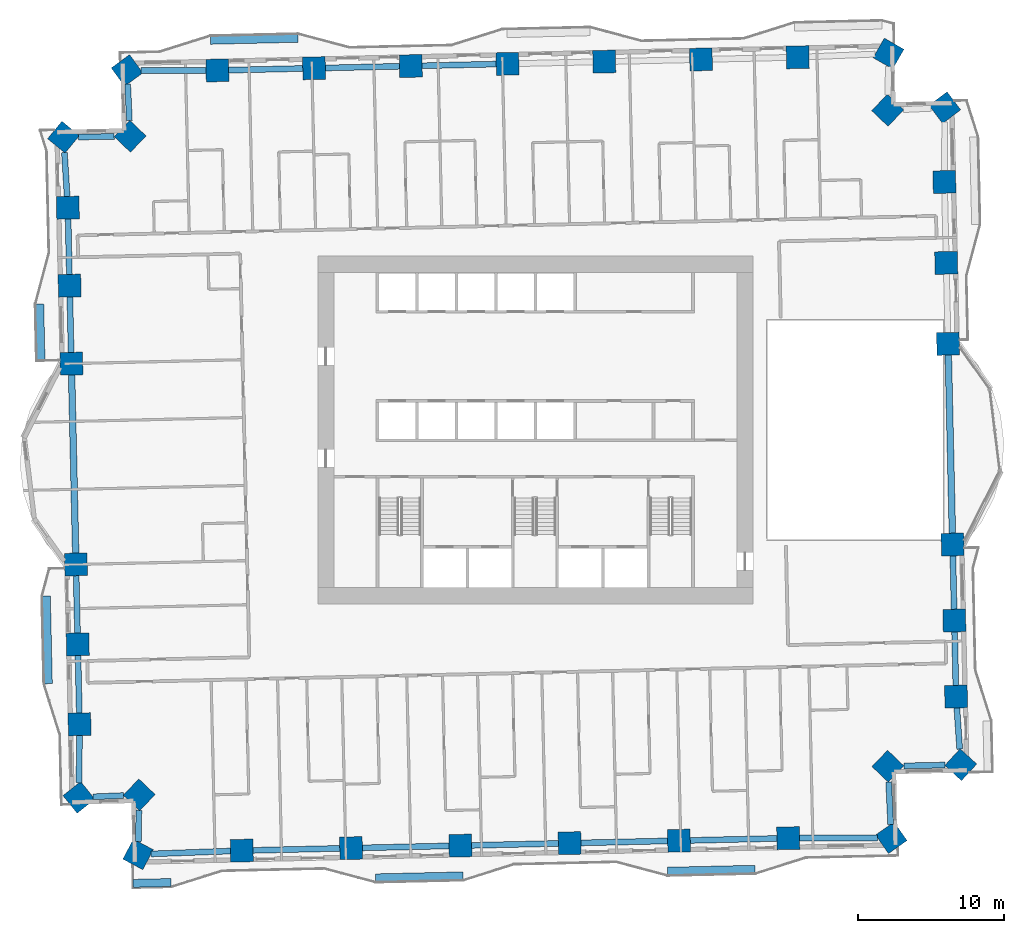
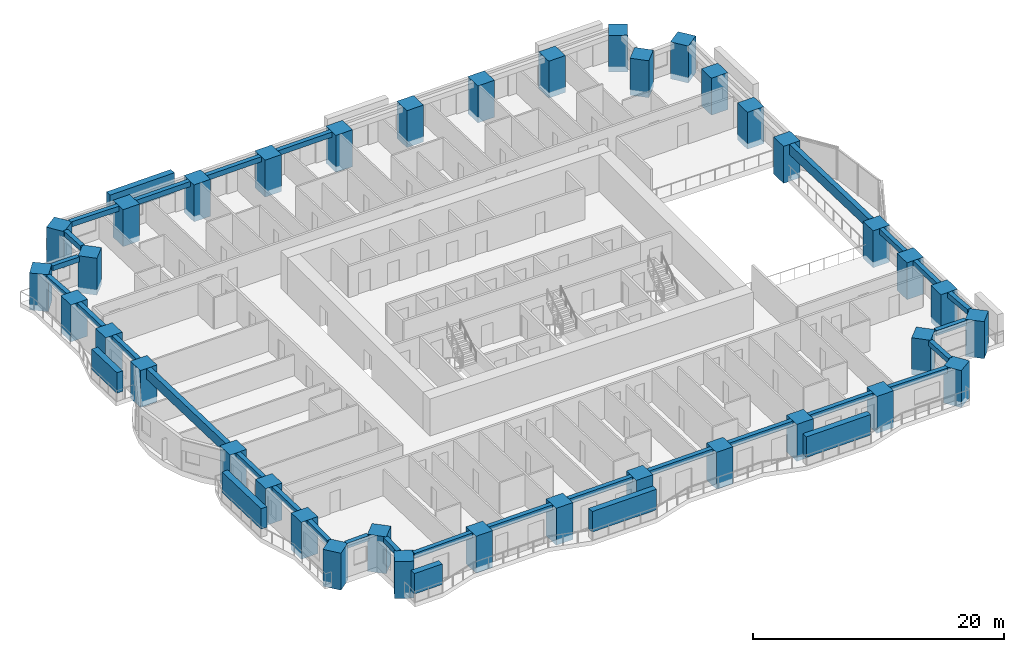
# One storey, part 1 of 16: 37 columns, 28 beams, 6 members.
"""IFC4 building model written with IfcOpenShell, lengths in metres."""

from ifc_helpers import new_model, si_unit, direction, frame, origin, origin_2d, place, context, subcontext, project, spatial, rectangle, extrude, material, material_profile, profile_set, type_object, element, save


model = new_model("IFC4")

# Units and contexts
model_context = context("Model", 3, precision=1e-05, world=origin(), true_north=direction((0.0, 1.0)))
body_context = subcontext(model_context, "Body", "Model", "MODEL_VIEW")
ifc_project = project(units=[si_unit("LENGTHUNIT", "METRE"), si_unit("AREAUNIT", "SQUARE_METRE"), si_unit("VOLUMEUNIT", "CUBIC_METRE"), si_unit("PLANEANGLEUNIT", "RADIAN"), si_unit("MASSUNIT", "GRAM", prefix="KILO")], contexts=[model_context])

# Site, building, storey
site_placement = place(None, origin())
site = spatial("IfcSite", under=ifc_project, at=site_placement, CompositionType="ELEMENT")
building_placement = place(site_placement, origin())
building = spatial("IfcBuilding", under=site, at=building_placement, Name="Mangrove Gate Tower", CompositionType="ELEMENT")
storey_placement = place(building_placement, frame((0.0, 0.0, 41.300048828125)))
storey = spatial("IfcBuildingStorey", under=building, at=storey_placement, Name="L09", CompositionType="ELEMENT", Elevation=41.300048828125)

# Columns
ifc_material_1 = material(Name="Concrete C70/85", Category="concrete")
ifc_material_profile_1 = material_profile(ifc_material_1, rectangle(XDim=1.550048828125, YDim=1.550048828125, at=origin_2d()))
ifc_profile_set_1 = profile_set([ifc_material_profile_1], Name="Concrete C70/85")
column_type = type_object("IfcColumnType", Name="Column RC 1550x1550 C70/85", PredefinedType="COLUMN", material=ifc_profile_set_1)
for number, where, z_axis, x_axis, name in (
    (1, (-31.461181640625, -9.204345703125, -0.550048828125), (0.0, 0.0, 1.0), (0.022677684385, -0.999742828247, 0.0), "Column L09 W06"),
    (2, (-31.337158203125, -14.678466796875, -0.550048828125), (0.0, 0.0, 1.0), (0.022648789156, -0.999743483274, 0.0), "Column L09 W07"),
    (3, (-31.213134765625, -20.1513671875, -0.550048828125), (0.0, 0.0, 1.0), (0.022740081264, -0.999741410918, 0.0), "Column L09 W08"),
    (4, (-31.259033203125, -25.157470703125, -0.550048828125), (0.0, 0.0, 1.0), (0.626513761853, -0.779410358033, 0.0), "Column L09 W09"),
    (5, (-27.129638671875, -24.986572265625, -0.550048828125), (0.0, 0.0, 1.0), (0.723003777622, -0.690844076144, 0.0), "Column L09 W10"),
    (6, (-27.205078125, -29.061767578125, -0.550048828125), (0.0, 0.0, 1.0), (0.88296485665, -0.469439092877, 0.0), "Column L09 S01"),
    (7, (-20.1025390625, -28.80224609375, -0.550048828125), (0.0, 0.0, 1.0), (0.999743591179, 0.022644025629, 0.0), "Column L09 S02"),
    (8, (-12.61962890625, -28.632080078125, -0.550048828125), (0.0, 0.0, 1.0), (0.999742076866, 0.022710784754, 0.0), "Column L09 S03"),
    (9, (-5.135498046875, -28.462158203125, -0.550048828125), (0.0, 0.0, 1.0), (0.999742111349, 0.022709266709, 0.0), "Column L09 S04"),
    (10, (2.348388671875, -28.292236328125, -0.550048828125), (0.0, 0.0, 1.0), (0.999742111349, 0.022709266709, 0.0), "Column L09 S05"),
    (11, (9.83251953125, -28.122314453125, -0.550048828125), (0.0, 0.0, 1.0), (0.999742076866, 0.022710784754, 0.0), "Column L09 S06"),
    (12, (17.3154296875, -27.9521484375, -0.550048828125), (0.0, 0.0, 1.0), (0.999743591179, 0.022644025629, 0.0), "Column L09 S07"),
    (13, (24.3720703125, -27.92333984375, -0.550048828125), (0.0, 0.0, 1.0), (0.818798537757, 0.574080965166, 0.0), "Column L09 S08"),
    (14, (24.143798828125, -23.023681640625, -0.550048828125), (0.0, 0.0, 1.0), (0.690875836988, 0.722973428188, 0.0), "Column L09 E01"),
    (15, (29.1318359375, -22.921142578125, -0.550048828125), (0.0, 0.0, 1.0), (0.675975496551, 0.736924099255, 0.0), "Column L09 E02"),
    (16, (28.80908203125, -18.256591796875, -0.550048828125), (0.0, 0.0, 1.0), (-0.022754110081, 0.99974109172, 0.0), "Column L09 E03"),
    (17, (28.691162109375, -13.049560546875, -0.550048828125), (0.0, 0.0, 1.0), (-0.022655978068, 0.999743320387, 0.0), "Column L09 E04"),
    (18, (28.5732421875, -7.842529296875, -0.550048828125), (0.0, 0.0, 1.0), (-0.022680668131, 0.999742760561, 0.0), "Column L09 E05"),
    (19, (28.26123046875, 5.904296875, -0.550048828125), (0.0, 0.0, 1.0), (-0.022703735442, 0.999742236978, 0.0), "Column L09 E06"),
    (20, (28.13525390625, 11.4443359375, -0.550048828125), (0.0, 0.0, 1.0), (-0.022645578574, 0.999743556004, 0.0), "Column L09 E07"),
    (21, (28.01025390625, 16.9853515625, -0.550048828125), (0.0, 0.0, 1.0), (-0.022645578574, 0.999743556004, 0.0), "Column L09 E08"),
    (22, (28.041015625, 22.0751953125, -0.550048828125), (0.0, 0.0, 1.0), (-0.60357593887, 0.797305516109, 0.0), "Column L09 E09"),
    (23, (24.12451171875, 21.8916015625, -0.550048828125), (0.0, 0.0, 1.0), (-0.723010312757, 0.690837236726, 0.0), "Column L09 E10"),
    (24, (24.18359375, 25.778564453125, -0.550048828125), (0.0, 0.0, 1.0), (-0.867550504106, 0.497349095531, 0.0), "Column L09 N01"),
    (25, (17.963623046875, 25.526123046875, -0.550048828125), (0.0, 0.0, 1.0), (-0.999741913532, -0.022717973655, 0.0), "Column L09 N02"),
    (26, (11.340576171875, 25.375244140625, -0.550048828125), (0.0, 0.0, 1.0), (-0.999741952388, -0.022716263674, 0.0), "Column L09 N03"),
    (27, (4.716552734375, 25.22509765625, -0.550048828125), (0.0, 0.0, 1.0), (-0.999743663498, -0.022640832496, 0.0), "Column L09 N04"),
    (28, (-1.906494140625, 25.0751953125, -0.550048828125), (0.0, 0.0, 1.0), (-0.999741913532, -0.022717973655, 0.0), "Column L09 N05"),
    (29, (-8.529296875, 24.92431640625, -0.550048828125), (0.0, 0.0, 1.0), (-0.999741952388, -0.022716263674, 0.0), "Column L09 N06"),
    (30, (-15.153564453125, 24.774169921875, -0.550048828125), (0.0, 0.0, 1.0), (-0.999743663498, -0.022640832496, 0.0), "Column L09 N07"),
    (31, (-21.7763671875, 24.624267578125, -0.550048828125), (0.0, 0.0, 1.0), (-0.999743624771, -0.02264254248, 0.0), "Column L09 N08"),
    (32, (-27.960693359375, 24.62255859375, -0.550048828125), (0.0, 0.0, 1.0), (-0.808269368168, -0.588812897686, 0.0), "Column L09 N09"),
    (33, (-27.752685546875, 20.114501953125, -0.550048828125), (0.0, 0.0, 1.0), (-0.690863130287, -0.722985570541, 0.0), "Column L09 W01"),
    (34, (-32.3134765625, 20.052734375, -0.550048828125), (0.0, 0.0, 1.0), (-0.63510539695, -0.772425488164, 0.0), "Column L09 W02"),
    (35, (-32.01513671875, 15.22265625, -0.550048828125), (0.0, 0.0, 1.0), (0.022746921185, -0.999741255314, 0.0), "Column L09 W03"),
    (36, (-31.894287109375, 9.882568359375, -0.550048828125), (0.0, 0.0, 1.0), (0.022653360746, -0.999743379696, 0.0), "Column L09 W04"),
    (37, (-31.773193359375, 4.54248046875, -0.550048828125), (0.0, 0.0, 1.0), (0.022679760793, -0.999742781144, 0.0), "Column L09 W05"),
):
    element("IfcColumn", number, at=place(storey_placement, frame(where, z_axis=z_axis, x_axis=x_axis)), inside=storey, type_object=column_type, Name=name, PredefinedType="COLUMN", context=body_context, shape_type="SweptSolid", body=[
        extrude(rectangle(XDim=1.550048828125, YDim=1.550048828125, at=origin_2d()), origin(), (0.0, 0.0, 1.0), 3.60009765625),
    ])

# Members
ifc_material_2 = material(Name="Planting on aluminium trellis", Category="aluminium")
ifc_material_profile_2 = material_profile(ifc_material_2, rectangle(XDim=0.550048828125, YDim=2.0, at=origin_2d()))
ifc_profile_set_2 = profile_set([ifc_material_profile_2], Name="Planting on aluminium trellis")
member_type = type_object("IfcMemberType", Name="Balcony greenery screen 550x2000", PredefinedType="USERDEFINED", material=ifc_profile_set_2)
member_1_placement = place(storey_placement, frame((-22.248046875, 26.68798828125, 1.800048828125), z_axis=(0.999743178102, 0.022662255828, 0.0), x_axis=(-0.022662255828, 0.999743178102, 0.0)))
element("IfcMember", 38, at=member_1_placement, inside=storey, type_object=member_type, Name="GREEN SCREEN L09 N1.1", ObjectType="PLANTING", PredefinedType="USERDEFINED", context=body_context, shape_type="SweptSolid", body=[
    extrude(rectangle(XDim=0.550048828125, YDim=2.0, at=origin_2d()), origin(), (0.0, 0.0, 1.0), 6.00048828125),
])
member_2_placement = place(storey_placement, frame((-33.85302734375, 4.74609375, 1.800048828125), z_axis=(-0.02268847822, 0.999742583346, 0.0), x_axis=(-0.999742583346, -0.02268847822, 0.0)))
element("IfcMember", 39, at=member_2_placement, inside=storey, type_object=member_type, Name="GREEN SCREEN L09 W0.1", ObjectType="PLANTING", PredefinedType="USERDEFINED", context=body_context, shape_type="SweptSolid", body=[
    extrude(rectangle(XDim=0.550048828125, YDim=2.0, at=origin_2d()), origin(), (0.0, 0.0, 1.0), 3.873779296875),
])
member_3_placement = place(storey_placement, frame((-33.35107421875, -17.3740234375, 1.800048828125), z_axis=(-0.022665943652, 0.999743094499, 0.0), x_axis=(-0.999743094499, -0.022665943652, 0.0)))
element("IfcMember", 40, at=member_3_placement, inside=storey, type_object=member_type, Name="GREEN SCREEN L09 W1.1", ObjectType="PLANTING", PredefinedType="USERDEFINED", context=body_context, shape_type="SweptSolid", body=[
    extrude(rectangle(XDim=0.550048828125, YDim=2.0, at=origin_2d()), origin(), (0.0, 0.0, 1.0), 5.99951171875),
])
member_4_placement = place(storey_placement, frame((-27.5400390625, -31.0458984375, 1.800048828125), z_axis=(0.999743867738, 0.022631812148, 0.0), x_axis=(-0.022631812148, 0.999743867738, 0.0)))
element("IfcMember", 41, at=member_4_placement, inside=storey, type_object=member_type, Name="GREEN SCREEN L09 S0.1", ObjectType="PLANTING", PredefinedType="USERDEFINED", context=body_context, shape_type="SweptSolid", body=[
    extrude(rectangle(XDim=0.550048828125, YDim=2.0, at=origin_2d()), origin(), (0.0, 0.0, 1.0), 2.599853515625),
])
member_5_placement = place(storey_placement, frame((-10.944091796875, -30.6689453125, 1.800048828125), z_axis=(0.999743094499, 0.022665943652, 0.0), x_axis=(-0.022665943652, 0.999743094499, 0.0)))
element("IfcMember", 42, at=member_5_placement, inside=storey, type_object=member_type, Name="GREEN SCREEN L09 S0.2", ObjectType="PLANTING", PredefinedType="USERDEFINED", context=body_context, shape_type="SweptSolid", body=[
    extrude(rectangle(XDim=0.550048828125, YDim=2.0, at=origin_2d()), origin(), (0.0, 0.0, 1.0), 5.99951171875),
])
member_6_placement = place(storey_placement, frame((9.050048828125, -30.215087890625, 1.800048828125), z_axis=(0.999743178102, 0.022662255828, 0.0), x_axis=(-0.022662255828, 0.999743178102, 0.0)))
element("IfcMember", 43, at=member_6_placement, inside=storey, type_object=member_type, Name="GREEN SCREEN L09 S1.1", ObjectType="PLANTING", PredefinedType="USERDEFINED", context=body_context, shape_type="SweptSolid", body=[
    extrude(rectangle(XDim=0.550048828125, YDim=2.0, at=origin_2d()), origin(), (0.0, 0.0, 1.0), 6.00048828125),
])

# Beams
ifc_material_3 = material(Name="Concrete C50/60", Category="concrete")
ifc_material_profile_3 = material_profile(ifc_material_3, rectangle(XDim=0.39990234375, YDim=0.5, at=origin_2d()))
ifc_profile_set_3 = profile_set([ifc_material_profile_3], Name="Concrete C50/60")
beam_type_1 = type_object("IfcBeamType", Name="Edge beam RC 400x500 C50/60", PredefinedType="BEAM", material=ifc_profile_set_3)
beam_1_placement = place(storey_placement, frame((-31.443603515625, -9.979248046875, 2.800048828125), z_axis=(0.022639461541, -0.999743694544, 0.0), x_axis=(0.999743694544, 0.022639461541, 0.0)))
element("IfcBeam", 44, at=beam_1_placement, inside=storey, type_object=beam_type_1, Name="Edge beam L09 00", PredefinedType="BEAM", context=body_context, shape_type="SweptSolid", body=[
    extrude(rectangle(XDim=0.39990234375, YDim=0.5, at=origin_2d()), origin(), (0.0, 0.0, 1.0), 3.92529296875),
])
beam_2_placement = place(storey_placement, frame((-31.319580078125, -15.453369140625, 2.800048828125), z_axis=(0.022646502382, -0.999743535078, 0.0), x_axis=(0.999743535078, 0.022646502382, 0.0)))
element("IfcBeam", 45, at=beam_2_placement, inside=storey, type_object=beam_type_1, Name="Edge beam L09 01", PredefinedType="BEAM", context=body_context, shape_type="SweptSolid", body=[
    extrude(rectangle(XDim=0.39990234375, YDim=0.5, at=origin_2d()), origin(), (0.0, 0.0, 1.0), 3.924072265625),
])
beam_3_placement = place(storey_placement, frame((-31.22021484375, -20.9267578125, 2.800048828125), z_axis=(-0.009148263769, -0.999958153759, 0.0), x_axis=(0.999958153759, -0.009148263769, 0.0)))
element("IfcBeam", 46, at=beam_3_placement, inside=storey, type_object=beam_type_1, Name="Edge beam L09 02", PredefinedType="BEAM", context=body_context, shape_type="SweptSolid", body=[
    extrude(rectangle(XDim=0.39990234375, YDim=0.5, at=origin_2d()), origin(), (0.0, 0.0, 1.0), 3.229248046875),
])
beam_4_placement = place(storey_placement, frame((-30.296630859375, -25.11767578125, 2.800048828125), z_axis=(0.999147563526, 0.041281306896, 0.0), x_axis=(-0.041281306896, 0.999147563526, 0.0)))
element("IfcBeam", 47, at=beam_4_placement, inside=storey, type_object=beam_type_1, Name="Edge beam L09 03", PredefinedType="BEAM", context=body_context, shape_type="SweptSolid", body=[
    extrude(rectangle(XDim=0.39990234375, YDim=0.5, at=origin_2d()), origin(), (0.0, 0.0, 1.0), 2.093505859375),
])
beam_5_placement = place(storey_placement, frame((-27.149169921875, -26.0400390625, 2.800048828125), z_axis=(-0.018483855383, -0.999829158952, 0.0), x_axis=(0.999829158952, -0.018483855383, 0.0)))
element("IfcBeam", 48, at=beam_5_placement, inside=storey, type_object=beam_type_1, Name="Edge beam L09 04", PredefinedType="BEAM", context=body_context, shape_type="SweptSolid", body=[
    extrude(rectangle(XDim=0.39990234375, YDim=0.5, at=origin_2d()), origin(), (0.0, 0.0, 1.0), 2.153076171875),
])
beam_6_placement = place(storey_placement, frame((-26.31005859375, -29.029052734375, 2.800048828125), z_axis=(0.999333286168, 0.036510041866, 0.0), x_axis=(-0.036510041866, 0.999333286168, 0.0)))
element("IfcBeam", 49, at=beam_6_placement, inside=storey, type_object=beam_type_1, Name="Edge beam L09 05", PredefinedType="BEAM", context=body_context, shape_type="SweptSolid", body=[
    extrude(rectangle(XDim=0.39990234375, YDim=0.5, at=origin_2d()), origin(), (0.0, 0.0, 1.0), 5.4365234375),
])
beam_7_placement = place(storey_placement, frame((-19.32763671875, -28.78466796875, 2.800048828125), z_axis=(0.999742154006, 0.022707388759, 0.0), x_axis=(-0.022707388759, 0.999742154006, 0.0)))
element("IfcBeam", 50, at=beam_7_placement, inside=storey, type_object=beam_type_1, Name="Edge beam L09 06", PredefinedType="BEAM", context=body_context, shape_type="SweptSolid", body=[
    extrude(rectangle(XDim=0.39990234375, YDim=0.5, at=origin_2d()), origin(), (0.0, 0.0, 1.0), 5.934814453125),
])
for number, where, z_axis, x_axis, name in (
    (51, (-11.8447265625, -28.614501953125, 2.800048828125), (0.999742238829, 0.02270365392, 0.0), (-0.02270365392, 0.999742238829, 0.0), "Edge beam L09 07"),
    (52, (-4.36083984375, -28.444580078125, 2.800048828125), (0.999742238829, 0.02270365392, 0.0), (-0.02270365392, 0.999742238829, 0.0), "Edge beam L09 08"),
    (53, (3.123291015625, -28.274658203125, 2.800048828125), (0.999742238829, 0.02270365392, 0.0), (-0.02270365392, 0.999742238829, 0.0), "Edge beam L09 09"),
):
    element("IfcBeam", number, at=place(storey_placement, frame(where, z_axis=z_axis, x_axis=x_axis)), inside=storey, type_object=beam_type_1, Name=name, PredefinedType="BEAM", context=body_context, shape_type="SweptSolid", body=[
        extrude(rectangle(XDim=0.39990234375, YDim=0.5, at=origin_2d()), origin(), (0.0, 0.0, 1.0), 5.935791015625),
    ])
beam_8_placement = place(storey_placement, frame((10.607177734375, -28.1044921875, 2.800048828125), z_axis=(0.999742175215, 0.022706454934, 0.0), x_axis=(-0.022706454934, 0.999742175215, 0.0)))
element("IfcBeam", 54, at=beam_8_placement, inside=storey, type_object=beam_type_1, Name="Edge beam L09 10", PredefinedType="BEAM", context=body_context, shape_type="SweptSolid", body=[
    extrude(rectangle(XDim=0.39990234375, YDim=0.5, at=origin_2d()), origin(), (0.0, 0.0, 1.0), 5.93505859375),
])
beam_9_placement = place(storey_placement, frame((18.090576171875, -27.948974609375, 2.800048828125), z_axis=(0.999991714378, 0.004070770826, 0.0), x_axis=(-0.004070770826, 0.999991714378, 0.0)))
element("IfcBeam", 55, at=beam_9_placement, inside=storey, type_object=beam_type_1, Name="Edge beam L09 11", PredefinedType="BEAM", context=body_context, shape_type="SweptSolid", body=[
    extrude(rectangle(XDim=0.39990234375, YDim=0.5, at=origin_2d()), origin(), (0.0, 0.0, 1.0), 5.337646484375),
])
beam_10_placement = place(storey_placement, frame((24.329345703125, -27.0068359375, 2.800048828125), z_axis=(-0.046539094766, 0.99891646931, 0.0), x_axis=(-0.99891646931, -0.046539094766, 0.0)))
element("IfcBeam", 56, at=beam_10_placement, inside=storey, type_object=beam_type_1, Name="Edge beam L09 12", PredefinedType="BEAM", context=body_context, shape_type="SweptSolid", body=[
    extrude(rectangle(XDim=0.39990234375, YDim=0.5, at=origin_2d()), origin(), (0.0, 0.0, 1.0), 2.916748046875),
])
beam_11_placement = place(storey_placement, frame((25.237060546875, -23.001220703125, 2.800048828125), z_axis=(0.999788239526, 0.020578535069, 0.0), x_axis=(-0.020578535069, 0.999788239526, 0.0)))
element("IfcBeam", 57, at=beam_11_placement, inside=storey, type_object=beam_type_1, Name="Edge beam L09 13", PredefinedType="BEAM", context=body_context, shape_type="SweptSolid", body=[
    extrude(rectangle(XDim=0.39990234375, YDim=0.5, at=origin_2d()), origin(), (0.0, 0.0, 1.0), 2.823486328125),
])
beam_12_placement = place(storey_placement, frame((29.05810546875, -21.85498046875, 2.800048828125), z_axis=(-0.068985575755, 0.997617657391, 0.0), x_axis=(-0.997617657391, -0.068985575755, 0.0)))
element("IfcBeam", 58, at=beam_12_placement, inside=storey, type_object=beam_type_1, Name="Edge beam L09 14", PredefinedType="BEAM", context=body_context, shape_type="SweptSolid", body=[
    extrude(rectangle(XDim=0.39990234375, YDim=0.5, at=origin_2d()), origin(), (0.0, 0.0, 1.0), 2.831298828125),
])
beam_13_placement = place(storey_placement, frame((28.791748046875, -17.48193359375, 2.800048828125), z_axis=(-0.022689571451, 0.999742558536, 0.0), x_axis=(-0.999742558536, -0.022689571451, 0.0)))
element("IfcBeam", 59, at=beam_13_placement, inside=storey, type_object=beam_type_1, Name="Edge beam L09 15", PredefinedType="BEAM", context=body_context, shape_type="SweptSolid", body=[
    extrude(rectangle(XDim=0.39990234375, YDim=0.5, at=origin_2d()), origin(), (0.0, 0.0, 1.0), 3.658447265625),
])
beam_14_placement = place(storey_placement, frame((28.673583984375, -12.274658203125, 2.800048828125), z_axis=(-0.022624381053, 0.999744035932, 0.0), x_axis=(-0.999744035932, -0.022624381053, 0.0)))
element("IfcBeam", 60, at=beam_14_placement, inside=storey, type_object=beam_type_1, Name="Edge beam L09 16", PredefinedType="BEAM", context=body_context, shape_type="SweptSolid", body=[
    extrude(rectangle(XDim=0.39990234375, YDim=0.5, at=origin_2d()), origin(), (0.0, 0.0, 1.0), 3.658203125),
])
beam_15_placement = place(storey_placement, frame((-2.68115234375, 25.0576171875, 2.800048828125), z_axis=(-0.999739969445, -0.02280336584, 0.0), x_axis=(0.02280336584, -0.999739969445, 0.0)))
element("IfcBeam", 61, at=beam_15_placement, inside=storey, type_object=beam_type_1, Name="Edge beam L09 27", PredefinedType="BEAM", context=body_context, shape_type="SweptSolid", body=[
    extrude(rectangle(XDim=0.39990234375, YDim=0.5, at=origin_2d()), origin(), (0.0, 0.0, 1.0), 5.07470703125),
])
beam_16_placement = place(storey_placement, frame((-9.30419921875, 24.90673828125, 2.800048828125), z_axis=(-0.999743348065, -0.022654756648, 0.0), x_axis=(0.022654756648, -0.999743348065, 0.0)))
element("IfcBeam", 62, at=beam_16_placement, inside=storey, type_object=beam_type_1, Name="Edge beam L09 28", PredefinedType="BEAM", context=body_context, shape_type="SweptSolid", body=[
    extrude(rectangle(XDim=0.39990234375, YDim=0.5, at=origin_2d()), origin(), (0.0, 0.0, 1.0), 5.07568359375),
])
beam_17_placement = place(storey_placement, frame((-15.92822265625, 24.756591796875, 2.800048828125), z_axis=(-0.999744337953, -0.022611031175, 0.0), x_axis=(0.022611031175, -0.999744337953, 0.0)))
element("IfcBeam", 63, at=beam_17_placement, inside=storey, type_object=beam_type_1, Name="Edge beam L09 29", PredefinedType="BEAM", context=body_context, shape_type="SweptSolid", body=[
    extrude(rectangle(XDim=0.39990234375, YDim=0.5, at=origin_2d()), origin(), (0.0, 0.0, 1.0), 5.07470703125),
])
beam_18_placement = place(storey_placement, frame((-22.5517578125, 24.6240234375, 2.800048828125), z_axis=(-0.999999962379, -0.000274303259, 0.0), x_axis=(0.000274303259, -0.999999962379, 0.0)))
element("IfcBeam", 64, at=beam_18_placement, inside=storey, type_object=beam_type_1, Name="Edge beam L09 30", PredefinedType="BEAM", context=body_context, shape_type="SweptSolid", body=[
    extrude(rectangle(XDim=0.39990234375, YDim=0.5, at=origin_2d()), origin(), (0.0, 0.0, 1.0), 4.4501953125),
])
beam_19_placement = place(storey_placement, frame((-27.91796875, 23.69482421875, 2.800048828125), z_axis=(0.046152499046, -0.99893440567, 0.0), x_axis=(0.99893440567, 0.046152499046, 0.0)))
element("IfcBeam", 65, at=beam_19_placement, inside=storey, type_object=beam_type_1, Name="Edge beam L09 31", PredefinedType="BEAM", context=body_context, shape_type="SweptSolid", body=[
    extrude(rectangle(XDim=0.39990234375, YDim=0.5, at=origin_2d()), origin(), (0.0, 0.0, 1.0), 2.5126953125),
])
beam_20_placement = place(storey_placement, frame((-28.838623046875, 20.099853515625, 2.800048828125), z_axis=(-0.999908940349, -0.013494851234, 0.0), x_axis=(0.013494851234, -0.999908940349, 0.0)))
element("IfcBeam", 66, at=beam_20_placement, inside=storey, type_object=beam_type_1, Name="Edge beam L09 32", PredefinedType="BEAM", context=body_context, shape_type="SweptSolid", body=[
    extrude(rectangle(XDim=0.39990234375, YDim=0.5, at=origin_2d()), origin(), (0.0, 0.0, 1.0), 2.46044921875),
])
beam_21_placement = place(storey_placement, frame((-32.248046875, 18.995849609375, 2.800048828125), z_axis=(0.061589140579, -0.998101586895, 0.0), x_axis=(0.998101586895, 0.061589140579, 0.0)))
element("IfcBeam", 67, at=beam_21_placement, inside=storey, type_object=beam_type_1, Name="Edge beam L09 33", PredefinedType="BEAM", context=body_context, shape_type="SweptSolid", body=[
    extrude(rectangle(XDim=0.39990234375, YDim=0.5, at=origin_2d()), origin(), (0.0, 0.0, 1.0), 3.004638671875),
])
for number, where, z_axis, x_axis, name in (
    (68, (-31.99755859375, 14.44775390625, 2.800048828125), (0.022602919614, -0.999744521378, 0.0), (0.999744521378, 0.022602919614, 0.0), "Edge beam L09 34"),
    (69, (-31.876708984375, 9.107666015625, 2.800048828125), (0.022667282356, -0.999743064147, 0.0), (0.999743064147, 0.022667282356, 0.0), "Edge beam L09 35"),
):
    element("IfcBeam", number, at=place(storey_placement, frame(where, z_axis=z_axis, x_axis=x_axis)), inside=storey, type_object=beam_type_1, Name=name, PredefinedType="BEAM", context=body_context, shape_type="SweptSolid", body=[
        extrude(rectangle(XDim=0.39990234375, YDim=0.5, at=origin_2d()), origin(), (0.0, 0.0, 1.0), 3.791259765625),
    ])
ifc_material_4 = material(Name="Concrete C50/60", Category="concrete")
ifc_material_profile_4 = material_profile(ifc_material_4, rectangle(XDim=0.449951171875, YDim=1.0, at=origin_2d()))
ifc_profile_set_4 = profile_set([ifc_material_profile_4], Name="Concrete C50/60")
beam_type_2 = type_object("IfcBeamType", Name="Edge beam RC 450x1000 C50/60", PredefinedType="BEAM", material=ifc_profile_set_4)
for number, where, z_axis, x_axis, name in (
    (70, (28.5556640625, -7.06787109375, 2.550048828125), (-0.0226918597, 0.9997425066, 0.0), (-0.9997425066, -0.0226918597, 0.0), "Edge beam L09 17"),
    (71, (-31.755615234375, 3.767822265625, 2.550048828125), (0.0226918597, -0.9997425066, 0.0), (0.9997425066, 0.0226918597, 0.0), "Edge beam L09 36"),
):
    element("IfcBeam", number, at=place(storey_placement, frame(where, z_axis=z_axis, x_axis=x_axis)), inside=storey, type_object=beam_type_2, Name=name, PredefinedType="BEAM", context=body_context, shape_type="SweptSolid", body=[
        extrude(rectangle(XDim=0.449951171875, YDim=1.0, at=origin_2d()), origin(), (0.0, 0.0, 1.0), 12.20068359375),
    ])

save(model, "model.ifc")
